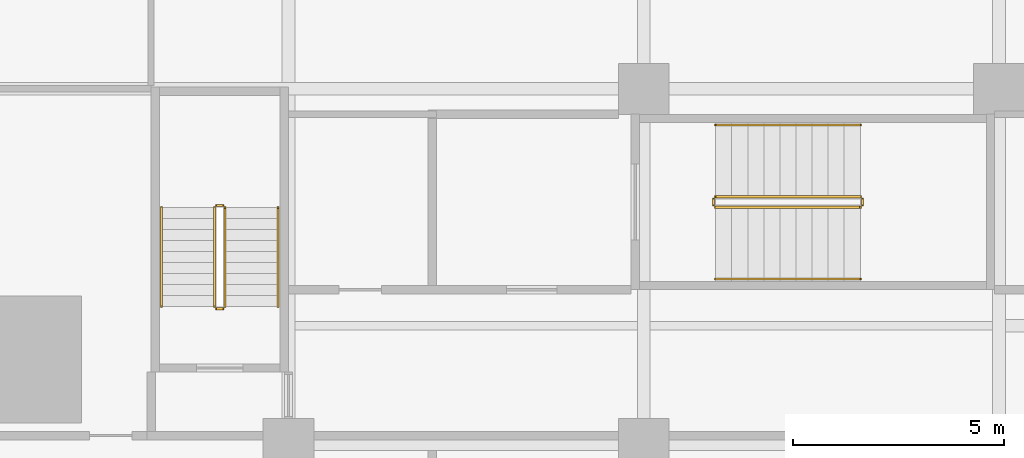
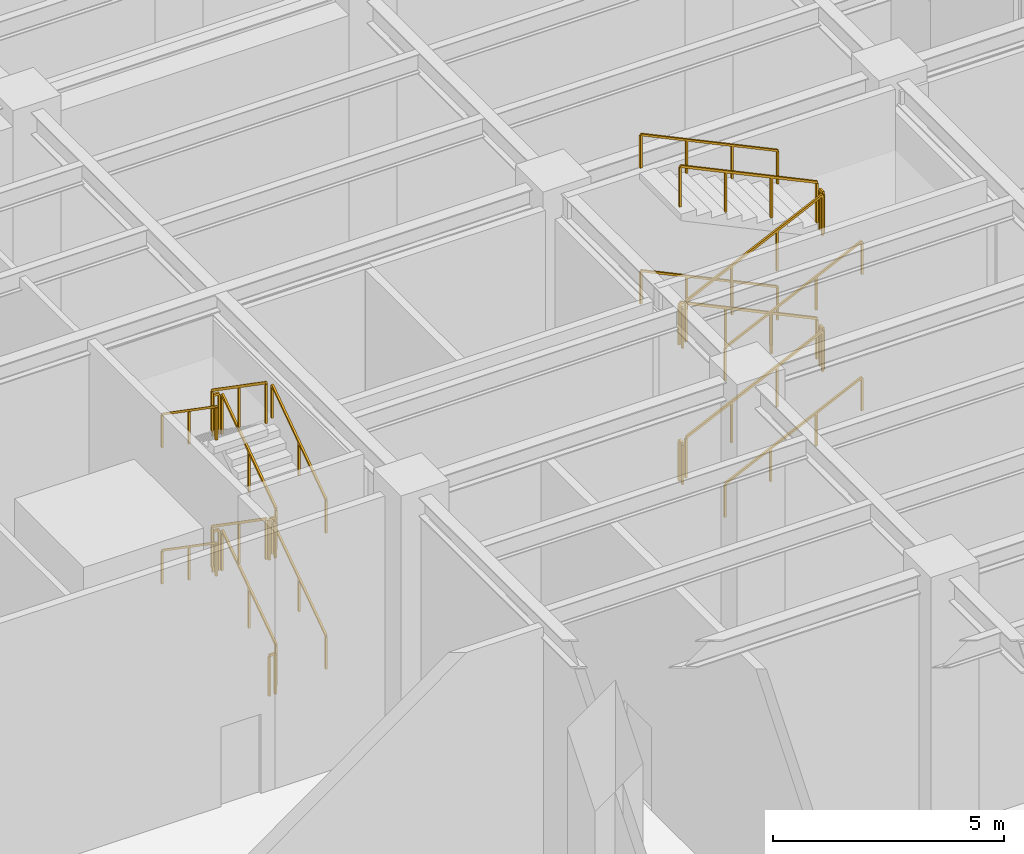
# One storey, part 42 of 43: 24 railings.
"""IFC4 building model written with IfcOpenShell, lengths in metres."""

from ifc_helpers import new_model, si_unit, direction, frame, origin, origin_2d, place, context, subcontext, project, spatial, rectangle, extrude, material, type_object, element, save


model = new_model("IFC4")

# Units and contexts
model_context = context("Model", 3, precision=1e-05, world=origin(), true_north=direction((0.0, 1.0)))
body_context = subcontext(model_context, "Body", "Model", "MODEL_VIEW")
ifc_project = project(units=[si_unit("LENGTHUNIT", "METRE"), si_unit("AREAUNIT", "SQUARE_METRE"), si_unit("VOLUMEUNIT", "CUBIC_METRE"), si_unit("PLANEANGLEUNIT", "RADIAN"), si_unit("MASSUNIT", "GRAM", prefix="KILO")], contexts=[model_context])

# Site, building, storey
site_placement = place(None, origin())
site = spatial("IfcSite", under=ifc_project, at=site_placement, CompositionType="ELEMENT")
building_placement = place(site_placement, origin())
building = spatial("IfcBuilding", under=site, at=building_placement, Name="Khepri Terraces", CompositionType="ELEMENT")
storey_placement = place(building_placement, origin())
storey = spatial("IfcBuildingStorey", under=building, at=storey_placement, Name="L00", CompositionType="ELEMENT", Elevation=0.0)

# Railings
ifc_material = material(Name="Stainless steel 316", Category="steel")
railing_type_1 = type_object("IfcRailingType", Name="RL-POD-GUARD", PredefinedType="GUARDRAIL", material=ifc_material)
railing_1_placement = place(storey_placement, frame((23.699951171875, 20.050048828125, 0.179931640625)))
element("IfcRailing", 1, at=railing_1_placement, inside=storey, type_object=railing_type_1, Name="L00 PS-1 stair guard 1", PredefinedType="GUARDRAIL", context=body_context, shape_type="SweptSolid", body=[
    extrude(rectangle(XDim=0.050048828125, YDim=0.06005859375, at=origin_2d()), frame((0.0, 0.0, 1.070068359375), z_axis=(0.0, 0.822155131156, 0.569263506923), x_axis=(-1.0, 0.0, 0.0)), (0.0, 0.0, 1.0), 2.845947265625),
    extrude(rectangle(XDim=0.050048828125, YDim=0.050048828125, at=origin_2d()), origin(), (0.0, 0.0, 1.0), 1.0400390625),
    extrude(rectangle(XDim=0.050048828125, YDim=0.050048828125, at=origin_2d()), frame((0.0, 1.169921875, 0.81005859375)), (0.0, 0.0, 1.0), 1.0400390625),
    extrude(rectangle(XDim=0.050048828125, YDim=0.050048828125, at=origin_2d()), frame((0.0, 2.33984375, 1.6201171875)), (0.0, 0.0, 1.0), 1.0400390625),
])
railing_2_placement = place(storey_placement, frame((23.64990234375, 22.43994140625, 1.800048828125)))
element("IfcRailing", 2, at=railing_2_placement, inside=storey, type_object=railing_type_1, Name="L00 PS-1 stair guard 2", PredefinedType="GUARDRAIL", context=body_context, shape_type="SweptSolid", body=[
    extrude(rectangle(XDim=0.050048828125, YDim=0.06005859375, at=origin_2d()), frame((0.0, 0.0, 1.070068359375), z_axis=(-1.0, 0.0, 0.0), x_axis=(0.0, -1.0, 0.0)), (0.0, 0.0, 1.0), 0.14990234375),
    extrude(rectangle(XDim=0.050048828125, YDim=0.050048828125, at=origin_2d()), origin(), (0.0, 0.0, 1.0), 1.0400390625),
    extrude(rectangle(XDim=0.050048828125, YDim=0.050048828125, at=origin_2d()), frame((-0.14990234375, 0.0, 0.0)), (0.0, 0.0, 1.0), 1.0400390625),
])
railing_3_placement = place(storey_placement, frame((23.449951171875, 22.389892578125, 1.97998046875)))
element("IfcRailing", 3, at=railing_3_placement, inside=storey, type_object=railing_type_1, Name="L00 PS-1 stair guard 3", PredefinedType="GUARDRAIL", context=body_context, shape_type="SweptSolid", body=[
    extrude(rectangle(XDim=0.050048828125, YDim=0.06005859375, at=origin_2d()), frame((0.0, 0.0, 1.070068359375), z_axis=(0.0, -0.822155131156, 0.569263506923), x_axis=(1.0, 0.0, 0.0)), (0.0, 0.0, 1.0), 2.845947265625),
    extrude(rectangle(XDim=0.050048828125, YDim=0.050048828125, at=origin_2d()), origin(), (0.0, 0.0, 1.0), 1.0400390625),
    extrude(rectangle(XDim=0.050048828125, YDim=0.050048828125, at=origin_2d()), frame((0.0, -1.169921875, 0.81005859375)), (0.0, 0.0, 1.0), 1.0400390625),
    extrude(rectangle(XDim=0.050048828125, YDim=0.050048828125, at=origin_2d()), frame((0.0, -2.33984375, 1.6201171875)), (0.0, 0.0, 1.0), 1.0400390625),
])
railing_4_placement = place(storey_placement, frame((23.64990234375, 20.0, 3.60009765625)))
element("IfcRailing", 4, at=railing_4_placement, inside=storey, type_object=railing_type_1, Name="L00 PS-1 stair guard 4", PredefinedType="GUARDRAIL", context=body_context, shape_type="SweptSolid", body=[
    extrude(rectangle(XDim=0.050048828125, YDim=0.06005859375, at=origin_2d()), frame((0.0, 0.0, 1.070068359375), z_axis=(-1.0, 0.0, 0.0), x_axis=(0.0, -1.0, 0.0)), (0.0, 0.0, 1.0), 0.14990234375),
    extrude(rectangle(XDim=0.050048828125, YDim=0.050048828125, at=origin_2d()), origin(), (0.0, 0.0, 1.0), 1.0400390625),
    extrude(rectangle(XDim=0.050048828125, YDim=0.050048828125, at=origin_2d()), frame((-0.14990234375, 0.0, 0.0)), (0.0, 0.0, 1.0), 1.0400390625),
])
railing_5_placement = place(storey_placement, frame((23.699951171875, 20.050048828125, 3.780029296875)))
element("IfcRailing", 5, at=railing_5_placement, inside=storey, type_object=railing_type_1, Name="L00 PS-1 stair guard 5", PredefinedType="GUARDRAIL", context=body_context, shape_type="SweptSolid", body=[
    extrude(rectangle(XDim=0.050048828125, YDim=0.06005859375, at=origin_2d()), frame((0.0, 0.0, 1.070068359375), z_axis=(0.0, 0.822195280011, 0.569205517829), x_axis=(-1.0, 0.0, 0.0)), (0.0, 0.0, 1.0), 2.845947265625),
    extrude(rectangle(XDim=0.050048828125, YDim=0.050048828125, at=origin_2d()), origin(), (0.0, 0.0, 1.0), 1.0400390625),
    extrude(rectangle(XDim=0.050048828125, YDim=0.050048828125, at=origin_2d()), frame((0.0, 1.169921875, 0.81005859375)), (0.0, 0.0, 1.0), 1.0400390625),
    extrude(rectangle(XDim=0.050048828125, YDim=0.050048828125, at=origin_2d()), frame((0.0, 2.33984375, 1.619873046875)), (0.0, 0.0, 1.0), 1.0400390625),
])
railing_6_placement = place(storey_placement, frame((23.64990234375, 22.43994140625, 5.39990234375)))
element("IfcRailing", 6, at=railing_6_placement, inside=storey, type_object=railing_type_1, Name="L00 PS-1 stair guard 6", PredefinedType="GUARDRAIL", context=body_context, shape_type="SweptSolid", body=[
    extrude(rectangle(XDim=0.050048828125, YDim=0.06005859375, at=origin_2d()), frame((0.0, 0.0, 1.070068359375), z_axis=(-1.0, 0.0, 0.0), x_axis=(0.0, -1.0, 0.0)), (0.0, 0.0, 1.0), 0.14990234375),
    extrude(rectangle(XDim=0.050048828125, YDim=0.050048828125, at=origin_2d()), origin(), (0.0, 0.0, 1.0), 1.0400390625),
    extrude(rectangle(XDim=0.050048828125, YDim=0.050048828125, at=origin_2d()), frame((-0.14990234375, 0.0, 0.0)), (0.0, 0.0, 1.0), 1.0400390625),
])
railing_7_placement = place(storey_placement, frame((23.449951171875, 22.389892578125, 5.580078125)))
element("IfcRailing", 7, at=railing_7_placement, inside=storey, type_object=railing_type_1, Name="L00 PS-1 stair guard 7", PredefinedType="GUARDRAIL", context=body_context, shape_type="SweptSolid", body=[
    extrude(rectangle(XDim=0.050048828125, YDim=0.06005859375, at=origin_2d()), frame((0.0, 0.0, 1.070068359375), z_axis=(0.0, -0.822195280011, 0.569205517829), x_axis=(1.0, 0.0, 0.0)), (0.0, 0.0, 1.0), 2.845947265625),
    extrude(rectangle(XDim=0.050048828125, YDim=0.050048828125, at=origin_2d()), origin(), (0.0, 0.0, 1.0), 1.0400390625),
    extrude(rectangle(XDim=0.050048828125, YDim=0.050048828125, at=origin_2d()), frame((0.0, -1.169921875, 0.81005859375)), (0.0, 0.0, 1.0), 1.0400390625),
    extrude(rectangle(XDim=0.050048828125, YDim=0.050048828125, at=origin_2d()), frame((0.0, -2.33984375, 1.619873046875)), (0.0, 0.0, 1.0), 1.0400390625),
])
railing_8_placement = place(storey_placement, frame((23.64990234375, 20.0, 0.0)))
element("IfcRailing", 8, at=railing_8_placement, inside=storey, type_object=railing_type_1, Name="L00 PS-1 stair guard 8", PredefinedType="GUARDRAIL", context=body_context, shape_type="SweptSolid", body=[
    extrude(rectangle(XDim=0.050048828125, YDim=0.06005859375, at=origin_2d()), frame((0.0, 0.0, 1.070068359375), z_axis=(-1.0, 0.0, 0.0), x_axis=(0.0, -1.0, 0.0)), (0.0, 0.0, 1.0), 0.14990234375),
    extrude(rectangle(XDim=0.050048828125, YDim=0.050048828125, at=origin_2d()), origin(), (0.0, 0.0, 1.0), 1.0400390625),
    extrude(rectangle(XDim=0.050048828125, YDim=0.050048828125, at=origin_2d()), frame((-0.14990234375, 0.0, 0.0)), (0.0, 0.0, 1.0), 1.0400390625),
])
railing_9_placement = place(storey_placement, frame((35.300048828125, 22.39990234375, 0.179931640625)))
element("IfcRailing", 9, at=railing_9_placement, inside=storey, type_object=railing_type_1, Name="L00 PS-6 stair guard 1", PredefinedType="GUARDRAIL", context=body_context, shape_type="SweptSolid", body=[
    extrude(rectangle(XDim=0.050048828125, YDim=0.06005859375, at=origin_2d()), frame((0.0, 0.0, 1.070068359375), z_axis=(0.903722074505, 0.0, 0.428119623531), x_axis=(0.0, 1.0, 0.0)), (0.0, 0.0, 1.0), 3.7841796875),
    extrude(rectangle(XDim=0.050048828125, YDim=0.050048828125, at=origin_2d()), origin(), (0.0, 0.0, 1.0), 1.0400390625),
    extrude(rectangle(XDim=0.050048828125, YDim=0.050048828125, at=origin_2d()), frame((1.139892578125, 0.0, 0.5400390625)), (0.0, 0.0, 1.0), 1.0400390625),
    extrude(rectangle(XDim=0.050048828125, YDim=0.050048828125, at=origin_2d()), frame((2.280029296875, 0.0, 1.080078125)), (0.0, 0.0, 1.0), 1.0400390625),
    extrude(rectangle(XDim=0.050048828125, YDim=0.050048828125, at=origin_2d()), frame((3.419921875, 0.0, 1.6201171875)), (0.0, 0.0, 1.0), 1.0400390625),
])
railing_10_placement = place(storey_placement, frame((38.77001953125, 22.449951171875, 1.800048828125)))
element("IfcRailing", 10, at=railing_10_placement, inside=storey, type_object=railing_type_1, Name="L00 PS-6 stair guard 2", PredefinedType="GUARDRAIL", context=body_context, shape_type="SweptSolid", body=[
    extrude(rectangle(XDim=0.050048828125, YDim=0.06005859375, at=origin_2d()), frame((0.0, 0.0, 1.070068359375), z_axis=(0.0, 1.0, 0.0), x_axis=(-1.0, 0.0, 0.0)), (0.0, 0.0, 1.0), 0.150146484375),
    extrude(rectangle(XDim=0.050048828125, YDim=0.050048828125, at=origin_2d()), origin(), (0.0, 0.0, 1.0), 1.0400390625),
    extrude(rectangle(XDim=0.050048828125, YDim=0.050048828125, at=origin_2d()), frame((0.0, 0.150146484375, 0.0)), (0.0, 0.0, 1.0), 1.0400390625),
])
railing_11_placement = place(storey_placement, frame((38.719970703125, 22.64990234375, 1.97998046875)))
element("IfcRailing", 11, at=railing_11_placement, inside=storey, type_object=railing_type_1, Name="L00 PS-6 stair guard 3", PredefinedType="GUARDRAIL", context=body_context, shape_type="SweptSolid", body=[
    extrude(rectangle(XDim=0.050048828125, YDim=0.06005859375, at=origin_2d()), frame((0.0, 0.0, 1.070068359375), z_axis=(-0.903722074505, 0.0, 0.428119623531), x_axis=(0.0, -1.0, 0.0)), (0.0, 0.0, 1.0), 3.7841796875),
    extrude(rectangle(XDim=0.050048828125, YDim=0.050048828125, at=origin_2d()), origin(), (0.0, 0.0, 1.0), 1.0400390625),
    extrude(rectangle(XDim=0.050048828125, YDim=0.050048828125, at=origin_2d()), frame((-1.139892578125, 0.0, 0.5400390625)), (0.0, 0.0, 1.0), 1.0400390625),
    extrude(rectangle(XDim=0.050048828125, YDim=0.050048828125, at=origin_2d()), frame((-2.280029296875, 0.0, 1.080078125)), (0.0, 0.0, 1.0), 1.0400390625),
    extrude(rectangle(XDim=0.050048828125, YDim=0.050048828125, at=origin_2d()), frame((-3.419921875, 0.0, 1.6201171875)), (0.0, 0.0, 1.0), 1.0400390625),
])
railing_12_placement = place(storey_placement, frame((35.25, 22.449951171875, 3.60009765625)))
element("IfcRailing", 12, at=railing_12_placement, inside=storey, type_object=railing_type_1, Name="L00 PS-6 stair guard 4", PredefinedType="GUARDRAIL", context=body_context, shape_type="SweptSolid", body=[
    extrude(rectangle(XDim=0.050048828125, YDim=0.06005859375, at=origin_2d()), frame((0.0, 0.0, 1.070068359375), z_axis=(0.0, 1.0, 0.0), x_axis=(-1.0, 0.0, 0.0)), (0.0, 0.0, 1.0), 0.150146484375),
    extrude(rectangle(XDim=0.050048828125, YDim=0.050048828125, at=origin_2d()), origin(), (0.0, 0.0, 1.0), 1.0400390625),
    extrude(rectangle(XDim=0.050048828125, YDim=0.050048828125, at=origin_2d()), frame((0.0, 0.150146484375, 0.0)), (0.0, 0.0, 1.0), 1.0400390625),
])
railing_13_placement = place(storey_placement, frame((35.300048828125, 22.39990234375, 3.780029296875)))
element("IfcRailing", 13, at=railing_13_placement, inside=storey, type_object=railing_type_1, Name="L00 PS-6 stair guard 5", PredefinedType="GUARDRAIL", context=body_context, shape_type="SweptSolid", body=[
    extrude(rectangle(XDim=0.050048828125, YDim=0.06005859375, at=origin_2d()), frame((0.0, 0.0, 1.070068359375), z_axis=(0.903747034475, 0.0, 0.428066931306), x_axis=(0.0, 1.0, 0.0)), (0.0, 0.0, 1.0), 3.7841796875),
    extrude(rectangle(XDim=0.050048828125, YDim=0.050048828125, at=origin_2d()), origin(), (0.0, 0.0, 1.0), 1.0400390625),
    extrude(rectangle(XDim=0.050048828125, YDim=0.050048828125, at=origin_2d()), frame((1.139892578125, 0.0, 0.5400390625)), (0.0, 0.0, 1.0), 1.0400390625),
    extrude(rectangle(XDim=0.050048828125, YDim=0.050048828125, at=origin_2d()), frame((2.280029296875, 0.0, 1.079833984375)), (0.0, 0.0, 1.0), 1.0400390625),
    extrude(rectangle(XDim=0.050048828125, YDim=0.050048828125, at=origin_2d()), frame((3.419921875, 0.0, 1.619873046875)), (0.0, 0.0, 1.0), 1.0400390625),
])
railing_14_placement = place(storey_placement, frame((38.77001953125, 22.449951171875, 5.39990234375)))
element("IfcRailing", 14, at=railing_14_placement, inside=storey, type_object=railing_type_1, Name="L00 PS-6 stair guard 6", PredefinedType="GUARDRAIL", context=body_context, shape_type="SweptSolid", body=[
    extrude(rectangle(XDim=0.050048828125, YDim=0.06005859375, at=origin_2d()), frame((0.0, 0.0, 1.070068359375), z_axis=(0.0, 1.0, 0.0), x_axis=(-1.0, 0.0, 0.0)), (0.0, 0.0, 1.0), 0.150146484375),
    extrude(rectangle(XDim=0.050048828125, YDim=0.050048828125, at=origin_2d()), origin(), (0.0, 0.0, 1.0), 1.0400390625),
    extrude(rectangle(XDim=0.050048828125, YDim=0.050048828125, at=origin_2d()), frame((0.0, 0.150146484375, 0.0)), (0.0, 0.0, 1.0), 1.0400390625),
])
railing_15_placement = place(storey_placement, frame((38.719970703125, 22.64990234375, 5.580078125)))
element("IfcRailing", 15, at=railing_15_placement, inside=storey, type_object=railing_type_1, Name="L00 PS-6 stair guard 7", PredefinedType="GUARDRAIL", context=body_context, shape_type="SweptSolid", body=[
    extrude(rectangle(XDim=0.050048828125, YDim=0.06005859375, at=origin_2d()), frame((0.0, 0.0, 1.070068359375), z_axis=(-0.903747034475, 0.0, 0.428066931306), x_axis=(0.0, -1.0, 0.0)), (0.0, 0.0, 1.0), 3.7841796875),
    extrude(rectangle(XDim=0.050048828125, YDim=0.050048828125, at=origin_2d()), origin(), (0.0, 0.0, 1.0), 1.0400390625),
    extrude(rectangle(XDim=0.050048828125, YDim=0.050048828125, at=origin_2d()), frame((-1.139892578125, 0.0, 0.5400390625)), (0.0, 0.0, 1.0), 1.0400390625),
    extrude(rectangle(XDim=0.050048828125, YDim=0.050048828125, at=origin_2d()), frame((-2.280029296875, 0.0, 1.079833984375)), (0.0, 0.0, 1.0), 1.0400390625),
    extrude(rectangle(XDim=0.050048828125, YDim=0.050048828125, at=origin_2d()), frame((-3.419921875, 0.0, 1.619873046875)), (0.0, 0.0, 1.0), 1.0400390625),
])
railing_16_placement = place(storey_placement, frame((35.25, 22.449951171875, 0.0)))
element("IfcRailing", 16, at=railing_16_placement, inside=storey, type_object=railing_type_1, Name="L00 PS-6 stair guard 8", PredefinedType="GUARDRAIL", context=body_context, shape_type="SweptSolid", body=[
    extrude(rectangle(XDim=0.050048828125, YDim=0.06005859375, at=origin_2d()), frame((0.0, 0.0, 1.070068359375), z_axis=(0.0, 1.0, 0.0), x_axis=(-1.0, 0.0, 0.0)), (0.0, 0.0, 1.0), 0.150146484375),
    extrude(rectangle(XDim=0.050048828125, YDim=0.050048828125, at=origin_2d()), origin(), (0.0, 0.0, 1.0), 1.0400390625),
    extrude(rectangle(XDim=0.050048828125, YDim=0.050048828125, at=origin_2d()), frame((0.0, 0.150146484375, 0.0)), (0.0, 0.0, 1.0), 1.0400390625),
])
railing_type_2 = type_object("IfcRailingType", Name="RL-POD-HANDRAIL", PredefinedType="HANDRAIL", material=ifc_material)
railing_17_placement = place(storey_placement, frame((24.949951171875, 20.050048828125, 0.179931640625)))
element("IfcRailing", 17, at=railing_17_placement, inside=storey, type_object=railing_type_2, Name="L00 PS-1 stair handrail 1", PredefinedType="HANDRAIL", context=body_context, shape_type="SweptSolid", body=[
    extrude(rectangle(XDim=0.050048828125, YDim=0.050048828125, at=origin_2d()), frame((0.0, 0.0, 0.875), z_axis=(0.0, 0.822155131156, 0.569263506923), x_axis=(-1.0, 0.0, 0.0)), (0.0, 0.0, 1.0), 2.845947265625),
    extrude(rectangle(XDim=0.050048828125, YDim=0.050048828125, at=origin_2d()), origin(), (0.0, 0.0, 1.0), 0.849853515625),
    extrude(rectangle(XDim=0.050048828125, YDim=0.050048828125, at=origin_2d()), frame((0.0, 1.169921875, 0.81005859375)), (0.0, 0.0, 1.0), 0.849853515625),
    extrude(rectangle(XDim=0.050048828125, YDim=0.050048828125, at=origin_2d()), frame((0.0, 2.33984375, 1.6201171875)), (0.0, 0.0, 1.0), 0.849853515625),
])
railing_18_placement = place(storey_placement, frame((22.199951171875, 22.389892578125, 1.97998046875)))
element("IfcRailing", 18, at=railing_18_placement, inside=storey, type_object=railing_type_2, Name="L00 PS-1 stair handrail 2", PredefinedType="HANDRAIL", context=body_context, shape_type="SweptSolid", body=[
    extrude(rectangle(XDim=0.050048828125, YDim=0.050048828125, at=origin_2d()), frame((0.0, 0.0, 0.875), z_axis=(0.0, -0.822155131156, 0.569263506923), x_axis=(1.0, 0.0, 0.0)), (0.0, 0.0, 1.0), 2.845947265625),
    extrude(rectangle(XDim=0.050048828125, YDim=0.050048828125, at=origin_2d()), origin(), (0.0, 0.0, 1.0), 0.849853515625),
    extrude(rectangle(XDim=0.050048828125, YDim=0.050048828125, at=origin_2d()), frame((0.0, -1.169921875, 0.81005859375)), (0.0, 0.0, 1.0), 0.849853515625),
    extrude(rectangle(XDim=0.050048828125, YDim=0.050048828125, at=origin_2d()), frame((0.0, -2.33984375, 1.6201171875)), (0.0, 0.0, 1.0), 0.849853515625),
])
railing_19_placement = place(storey_placement, frame((24.949951171875, 20.050048828125, 3.780029296875)))
element("IfcRailing", 19, at=railing_19_placement, inside=storey, type_object=railing_type_2, Name="L00 PS-1 stair handrail 3", PredefinedType="HANDRAIL", context=body_context, shape_type="SweptSolid", body=[
    extrude(rectangle(XDim=0.050048828125, YDim=0.050048828125, at=origin_2d()), frame((0.0, 0.0, 0.875), z_axis=(0.0, 0.822195280011, 0.569205517829), x_axis=(-1.0, 0.0, 0.0)), (0.0, 0.0, 1.0), 2.845947265625),
    extrude(rectangle(XDim=0.050048828125, YDim=0.050048828125, at=origin_2d()), origin(), (0.0, 0.0, 1.0), 0.849853515625),
    extrude(rectangle(XDim=0.050048828125, YDim=0.050048828125, at=origin_2d()), frame((0.0, 1.169921875, 0.81005859375)), (0.0, 0.0, 1.0), 0.849853515625),
    extrude(rectangle(XDim=0.050048828125, YDim=0.050048828125, at=origin_2d()), frame((0.0, 2.33984375, 1.619873046875)), (0.0, 0.0, 1.0), 0.849853515625),
])
railing_20_placement = place(storey_placement, frame((22.199951171875, 22.389892578125, 5.580078125)))
element("IfcRailing", 20, at=railing_20_placement, inside=storey, type_object=railing_type_2, Name="L00 PS-1 stair handrail 4", PredefinedType="HANDRAIL", context=body_context, shape_type="SweptSolid", body=[
    extrude(rectangle(XDim=0.050048828125, YDim=0.050048828125, at=origin_2d()), frame((0.0, 0.0, 0.875), z_axis=(0.0, -0.822195280011, 0.569205517829), x_axis=(1.0, 0.0, 0.0)), (0.0, 0.0, 1.0), 2.845947265625),
    extrude(rectangle(XDim=0.050048828125, YDim=0.050048828125, at=origin_2d()), origin(), (0.0, 0.0, 1.0), 0.849853515625),
    extrude(rectangle(XDim=0.050048828125, YDim=0.050048828125, at=origin_2d()), frame((0.0, -1.169921875, 0.81005859375)), (0.0, 0.0, 1.0), 0.849853515625),
    extrude(rectangle(XDim=0.050048828125, YDim=0.050048828125, at=origin_2d()), frame((0.0, -2.33984375, 1.619873046875)), (0.0, 0.0, 1.0), 0.849853515625),
])
railing_21_placement = place(storey_placement, frame((35.300048828125, 20.699951171875, 0.179931640625)))
element("IfcRailing", 21, at=railing_21_placement, inside=storey, type_object=railing_type_2, Name="L00 PS-6 stair handrail 1", PredefinedType="HANDRAIL", context=body_context, shape_type="SweptSolid", body=[
    extrude(rectangle(XDim=0.050048828125, YDim=0.050048828125, at=origin_2d()), frame((0.0, 0.0, 0.875), z_axis=(0.903722074505, 0.0, 0.428119623531), x_axis=(0.0, 1.0, 0.0)), (0.0, 0.0, 1.0), 3.7841796875),
    extrude(rectangle(XDim=0.050048828125, YDim=0.050048828125, at=origin_2d()), origin(), (0.0, 0.0, 1.0), 0.849853515625),
    extrude(rectangle(XDim=0.050048828125, YDim=0.050048828125, at=origin_2d()), frame((1.139892578125, 0.0, 0.5400390625)), (0.0, 0.0, 1.0), 0.849853515625),
    extrude(rectangle(XDim=0.050048828125, YDim=0.050048828125, at=origin_2d()), frame((2.280029296875, 0.0, 1.080078125)), (0.0, 0.0, 1.0), 0.849853515625),
    extrude(rectangle(XDim=0.050048828125, YDim=0.050048828125, at=origin_2d()), frame((3.419921875, 0.0, 1.6201171875)), (0.0, 0.0, 1.0), 0.849853515625),
])
railing_22_placement = place(storey_placement, frame((38.719970703125, 24.35009765625, 1.97998046875)))
element("IfcRailing", 22, at=railing_22_placement, inside=storey, type_object=railing_type_2, Name="L00 PS-6 stair handrail 2", PredefinedType="HANDRAIL", context=body_context, shape_type="SweptSolid", body=[
    extrude(rectangle(XDim=0.050048828125, YDim=0.050048828125, at=origin_2d()), frame((0.0, 0.0, 0.875), z_axis=(-0.903722074505, 0.0, 0.428119623531), x_axis=(0.0, -1.0, 0.0)), (0.0, 0.0, 1.0), 3.7841796875),
    extrude(rectangle(XDim=0.050048828125, YDim=0.050048828125, at=origin_2d()), origin(), (0.0, 0.0, 1.0), 0.849853515625),
    extrude(rectangle(XDim=0.050048828125, YDim=0.050048828125, at=origin_2d()), frame((-1.139892578125, 0.0, 0.5400390625)), (0.0, 0.0, 1.0), 0.849853515625),
    extrude(rectangle(XDim=0.050048828125, YDim=0.050048828125, at=origin_2d()), frame((-2.280029296875, 0.0, 1.080078125)), (0.0, 0.0, 1.0), 0.849853515625),
    extrude(rectangle(XDim=0.050048828125, YDim=0.050048828125, at=origin_2d()), frame((-3.419921875, 0.0, 1.6201171875)), (0.0, 0.0, 1.0), 0.849853515625),
])
railing_23_placement = place(storey_placement, frame((35.300048828125, 20.699951171875, 3.780029296875)))
element("IfcRailing", 23, at=railing_23_placement, inside=storey, type_object=railing_type_2, Name="L00 PS-6 stair handrail 3", PredefinedType="HANDRAIL", context=body_context, shape_type="SweptSolid", body=[
    extrude(rectangle(XDim=0.050048828125, YDim=0.050048828125, at=origin_2d()), frame((0.0, 0.0, 0.875), z_axis=(0.903747034475, 0.0, 0.428066931306), x_axis=(0.0, 1.0, 0.0)), (0.0, 0.0, 1.0), 3.7841796875),
    extrude(rectangle(XDim=0.050048828125, YDim=0.050048828125, at=origin_2d()), origin(), (0.0, 0.0, 1.0), 0.849853515625),
    extrude(rectangle(XDim=0.050048828125, YDim=0.050048828125, at=origin_2d()), frame((1.139892578125, 0.0, 0.5400390625)), (0.0, 0.0, 1.0), 0.849853515625),
    extrude(rectangle(XDim=0.050048828125, YDim=0.050048828125, at=origin_2d()), frame((2.280029296875, 0.0, 1.079833984375)), (0.0, 0.0, 1.0), 0.849853515625),
    extrude(rectangle(XDim=0.050048828125, YDim=0.050048828125, at=origin_2d()), frame((3.419921875, 0.0, 1.619873046875)), (0.0, 0.0, 1.0), 0.849853515625),
])
railing_24_placement = place(storey_placement, frame((38.719970703125, 24.35009765625, 5.580078125)))
element("IfcRailing", 24, at=railing_24_placement, inside=storey, type_object=railing_type_2, Name="L00 PS-6 stair handrail 4", PredefinedType="HANDRAIL", context=body_context, shape_type="SweptSolid", body=[
    extrude(rectangle(XDim=0.050048828125, YDim=0.050048828125, at=origin_2d()), frame((0.0, 0.0, 0.875), z_axis=(-0.903747034475, 0.0, 0.428066931306), x_axis=(0.0, -1.0, 0.0)), (0.0, 0.0, 1.0), 3.7841796875),
    extrude(rectangle(XDim=0.050048828125, YDim=0.050048828125, at=origin_2d()), origin(), (0.0, 0.0, 1.0), 0.849853515625),
    extrude(rectangle(XDim=0.050048828125, YDim=0.050048828125, at=origin_2d()), frame((-1.139892578125, 0.0, 0.5400390625)), (0.0, 0.0, 1.0), 0.849853515625),
    extrude(rectangle(XDim=0.050048828125, YDim=0.050048828125, at=origin_2d()), frame((-2.280029296875, 0.0, 1.079833984375)), (0.0, 0.0, 1.0), 0.849853515625),
    extrude(rectangle(XDim=0.050048828125, YDim=0.050048828125, at=origin_2d()), frame((-3.419921875, 0.0, 1.619873046875)), (0.0, 0.0, 1.0), 0.849853515625),
])

save(model, "model.ifc")
